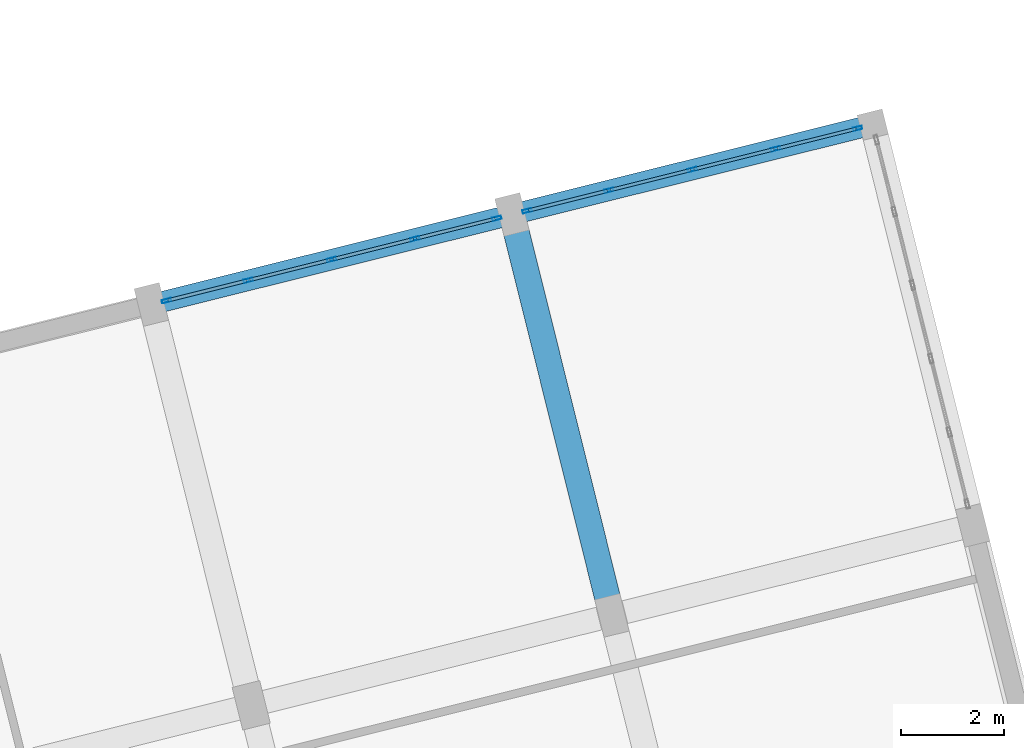
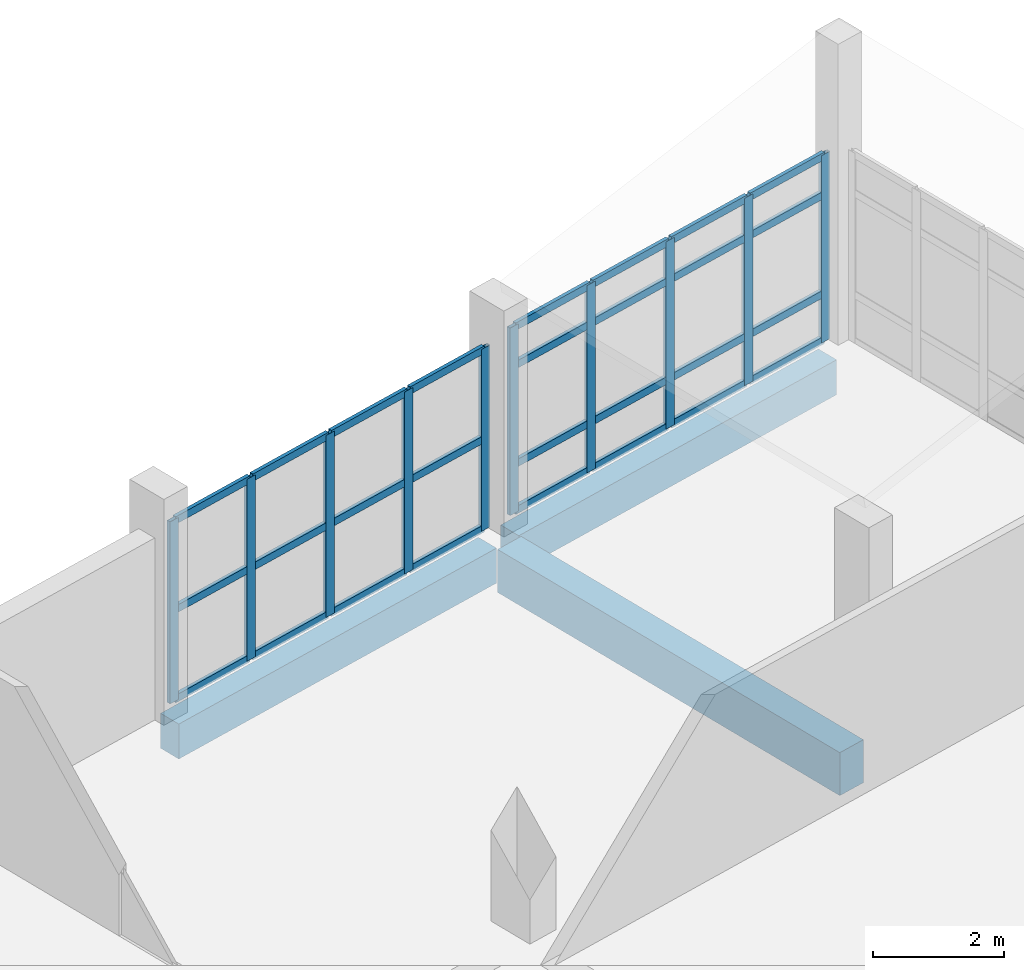
# One storey, part 116 of 164: 38 members, 3 beams, 2 elements without a shape of their own.
"""IFC4 building model written with IfcOpenShell, lengths in metres."""

from ifc_helpers import new_model, si_unit, direction, frame, origin, origin_2d, place, context, subcontext, project, spatial, rectangle, hollow_rectangle, extrude, material, layer, layer_set, material_profile, profile_set, type_object, element, aggregate, save


model = new_model("IFC4")

# Units and contexts
model_context = context("Model", 3, precision=1e-05, world=origin(), true_north=direction((0.0, 1.0)))
body_context = subcontext(model_context, "Body", "Model", "MODEL_VIEW")
ifc_project = project(units=[si_unit("LENGTHUNIT", "METRE"), si_unit("AREAUNIT", "SQUARE_METRE"), si_unit("VOLUMEUNIT", "CUBIC_METRE"), si_unit("PLANEANGLEUNIT", "RADIAN"), si_unit("MASSUNIT", "GRAM", prefix="KILO")], contexts=[model_context])

# Site, building, storey
site_placement = place(None, origin())
site = spatial("IfcSite", under=ifc_project, at=site_placement, CompositionType="ELEMENT")
building_placement = place(site_placement, origin())
building = spatial("IfcBuilding", under=site, at=building_placement, Name="Mawjan Specialist Oncology Clinic", CompositionType="ELEMENT")
storey_placement = place(building_placement, frame((0.0, 0.0, 5.0)))
storey = spatial("IfcBuildingStorey", under=building, at=storey_placement, Name="L01", CompositionType="ELEMENT", Elevation=5.0)

# Beam
ifc_material_1 = material(Name="Concrete C45/55", Category="concrete")
ifc_material_profile_1 = material_profile(ifc_material_1, rectangle(XDim=0.5, YDim=0.800048828125, at=origin_2d()), Name="RC BM 500x800", Category="concrete")
ifc_profile_set_1 = profile_set([ifc_material_profile_1], Name="Concrete C45/55")
beam_type_1 = type_object("IfcBeamType", Name="BM-500x800", PredefinedType="BEAM", material=ifc_profile_set_1)
beam_placement = place(storey_placement, frame((139.154052734375, 37.3271484375, -0.699951171875), z_axis=(-0.24192325328, 0.970295387767, 0.0), x_axis=(-0.970295387767, -0.24192325328, 0.0)))
element("IfcBeam", 1, at=beam_placement, inside=storey, type_object=beam_type_1, Name="L01 Collector Beam BM-L01-0629", PredefinedType="BEAM", context=body_context, shape_type="SweptSolid", body=[
    extrude(rectangle(XDim=0.5, YDim=0.800048828125, at=origin_2d()), origin(), (0.0, 0.0, 1.0), 7.505126953125),
])

# Curtain wall, members
ifc_material_2 = material(Name="Unitised spectrally selective aluminium curtain wall", Category="aluminium")
ifc_layer_1 = layer(ifc_material_2, 0.179931640625, Name="Unitised spectrally selective aluminium curtain wall", Category="aluminium")
ifc_layer_set_1 = layer_set([ifc_layer_1], Name="Unitised spectrally selective aluminium curtain wall")
curtain_wall_type_1 = type_object("IfcCurtainWallType", Name="CW-48", PredefinedType="NOTDEFINED", material=ifc_layer_set_1)
curtain_wall_1_placement = place(storey_placement, origin())
curtain_wall_1 = element("IfcCurtainWall", 2, at=curtain_wall_1_placement, inside=storey, type_object=curtain_wall_type_1, Name="L01 Unitised Curtain Wall CW-L01-093", PredefinedType="NOTDEFINED")
ifc_material_3 = material(Name="Thermally broken aluminium 6063-T6", Category="aluminium")
ifc_material_profile_2 = material_profile(ifc_material_3, hollow_rectangle(XDim=0.06494140625, YDim=0.179931640625, WallThickness=0.00390625, at=origin_2d()), Name="ALU MULLION 180x65x4", Category="aluminium")
ifc_profile_set_2 = profile_set([ifc_material_profile_2], Name="Thermally broken aluminium 6063-T6")
member_type_1 = type_object("IfcMemberType", Name="CW-M180", PredefinedType="MULLION", material=ifc_profile_set_2)
member_1_placement = place(storey_placement, frame((130.5888671875, 43.168701171875, 0.0), z_axis=(0.0, 0.0, 1.0), x_axis=(-0.241922045422, 0.970295688921, 0.0)))
member_1 = element("IfcMember", 3, at=member_1_placement, type_object=member_type_1, Name="CW-48 mullion 1", PredefinedType="MULLION", context=body_context, shape_type="SweptSolid", body=[
    extrude(hollow_rectangle(XDim=0.06494140625, YDim=0.179931640625, WallThickness=0.00390625, at=origin_2d()), origin(), (0.0, 0.0, 1.0), 3.385009765625),
])
member_2_placement = place(storey_placement, frame((132.1728515625, 43.563720703125, 0.0), z_axis=(0.0, 0.0, 1.0), x_axis=(-0.241922045422, 0.970295688921, 0.0)))
member_2 = element("IfcMember", 4, at=member_2_placement, type_object=member_type_1, Name="CW-48 mullion 2", PredefinedType="MULLION", context=body_context, shape_type="SweptSolid", body=[
    extrude(hollow_rectangle(XDim=0.06494140625, YDim=0.179931640625, WallThickness=0.00390625, at=origin_2d()), origin(), (0.0, 0.0, 1.0), 3.385009765625),
])
member_3_placement = place(storey_placement, frame((133.788330078125, 43.96630859375, 0.0), z_axis=(0.0, 0.0, 1.0), x_axis=(-0.241922045422, 0.970295688921, 0.0)))
member_3 = element("IfcMember", 5, at=member_3_placement, type_object=member_type_1, Name="CW-48 mullion 3", PredefinedType="MULLION", context=body_context, shape_type="SweptSolid", body=[
    extrude(hollow_rectangle(XDim=0.06494140625, YDim=0.179931640625, WallThickness=0.00390625, at=origin_2d()), origin(), (0.0, 0.0, 1.0), 3.385009765625),
])
member_4_placement = place(storey_placement, frame((135.404052734375, 44.369140625, 0.0), z_axis=(0.0, 0.0, 1.0), x_axis=(-0.241922045422, 0.970295688921, 0.0)))
member_4 = element("IfcMember", 6, at=member_4_placement, type_object=member_type_1, Name="CW-48 mullion 4", PredefinedType="MULLION", context=body_context, shape_type="SweptSolid", body=[
    extrude(hollow_rectangle(XDim=0.06494140625, YDim=0.179931640625, WallThickness=0.00390625, at=origin_2d()), origin(), (0.0, 0.0, 1.0), 3.385009765625),
])
member_5_placement = place(storey_placement, frame((136.988037109375, 44.76416015625, 0.0), z_axis=(0.0, 0.0, 1.0), x_axis=(-0.241922045422, 0.970295688921, 0.0)))
member_5 = element("IfcMember", 7, at=member_5_placement, type_object=member_type_1, Name="CW-48 mullion 5", PredefinedType="MULLION", context=body_context, shape_type="SweptSolid", body=[
    extrude(hollow_rectangle(XDim=0.06494140625, YDim=0.179931640625, WallThickness=0.00390625, at=origin_2d()), origin(), (0.0, 0.0, 1.0), 3.385009765625),
])

ifc_material_4 = material(Name="Unitised spectrally selective aluminium curtain wall", Category="aluminium")
ifc_layer_2 = layer(ifc_material_4, 0.179931640625, Name="Unitised spectrally selective aluminium curtain wall", Category="aluminium")
ifc_layer_set_2 = layer_set([ifc_layer_2], Name="Unitised spectrally selective aluminium curtain wall")
curtain_wall_type_2 = type_object("IfcCurtainWallType", Name="CW-49", PredefinedType="NOTDEFINED", material=ifc_layer_set_2)
curtain_wall_2_placement = place(storey_placement, origin())
curtain_wall_2 = element("IfcCurtainWall", 8, at=curtain_wall_2_placement, inside=storey, type_object=curtain_wall_type_2, Name="L01 Unitised Curtain Wall CW-L01-094", PredefinedType="NOTDEFINED")
member_6_placement = place(storey_placement, frame((137.574951171875, 44.91064453125, 0.0), z_axis=(0.0, 0.0, 1.0), x_axis=(-0.241921939309, 0.970295715378, 0.0)))
member_6 = element("IfcMember", 9, at=member_6_placement, type_object=member_type_1, Name="CW-49 mullion 1", PredefinedType="MULLION", context=body_context, shape_type="SweptSolid", body=[
    extrude(hollow_rectangle(XDim=0.06494140625, YDim=0.179931640625, WallThickness=0.00390625, at=origin_2d()), origin(), (0.0, 0.0, 1.0), 3.485107421875),
])
member_7_placement = place(storey_placement, frame((139.158935546875, 45.305419921875, 0.0), z_axis=(0.0, 0.0, 1.0), x_axis=(-0.241921939309, 0.970295715378, 0.0)))
member_7 = element("IfcMember", 10, at=member_7_placement, type_object=member_type_1, Name="CW-49 mullion 2", PredefinedType="MULLION", context=body_context, shape_type="SweptSolid", body=[
    extrude(hollow_rectangle(XDim=0.06494140625, YDim=0.179931640625, WallThickness=0.00390625, at=origin_2d()), origin(), (0.0, 0.0, 1.0), 3.485107421875),
])
member_8_placement = place(storey_placement, frame((140.774658203125, 45.708251953125, 0.0), z_axis=(0.0, 0.0, 1.0), x_axis=(-0.241921939309, 0.970295715378, 0.0)))
member_8 = element("IfcMember", 11, at=member_8_placement, type_object=member_type_1, Name="CW-49 mullion 3", PredefinedType="MULLION", context=body_context, shape_type="SweptSolid", body=[
    extrude(hollow_rectangle(XDim=0.06494140625, YDim=0.179931640625, WallThickness=0.00390625, at=origin_2d()), origin(), (0.0, 0.0, 1.0), 3.485107421875),
])
member_9_placement = place(storey_placement, frame((142.39013671875, 46.111083984375, 0.0), z_axis=(0.0, 0.0, 1.0), x_axis=(-0.241921939309, 0.970295715378, 0.0)))
member_9 = element("IfcMember", 12, at=member_9_placement, type_object=member_type_1, Name="CW-49 mullion 4", PredefinedType="MULLION", context=body_context, shape_type="SweptSolid", body=[
    extrude(hollow_rectangle(XDim=0.06494140625, YDim=0.179931640625, WallThickness=0.00390625, at=origin_2d()), origin(), (0.0, 0.0, 1.0), 3.485107421875),
])
member_10_placement = place(storey_placement, frame((143.97412109375, 46.506103515625, 0.0), z_axis=(0.0, 0.0, 1.0), x_axis=(-0.241921939309, 0.970295715378, 0.0)))
member_10 = element("IfcMember", 13, at=member_10_placement, type_object=member_type_1, Name="CW-49 mullion 5", PredefinedType="MULLION", context=body_context, shape_type="SweptSolid", body=[
    extrude(hollow_rectangle(XDim=0.06494140625, YDim=0.179931640625, WallThickness=0.00390625, at=origin_2d()), origin(), (0.0, 0.0, 1.0), 3.485107421875),
])

# Member
ifc_material_5 = material(Name="Thermally broken aluminium 6063-T6", Category="aluminium")
ifc_material_profile_3 = material_profile(ifc_material_5, hollow_rectangle(XDim=0.06494140625, YDim=0.139892578125, WallThickness=0.00390625, at=origin_2d()), Name="ALU TRANSOM 140x65x4", Category="aluminium")
ifc_profile_set_3 = profile_set([ifc_material_profile_3], Name="Thermally broken aluminium 6063-T6")
member_type_2 = type_object("IfcMemberType", Name="CW-T140", PredefinedType="USERDEFINED", material=ifc_profile_set_3)
member_11_placement = place(storey_placement, frame((130.620361328125, 43.176513671875, 0.032470703125), z_axis=(0.970307185051, 0.241875932325, 0.0), x_axis=(-0.241875932325, 0.970307185051, 0.0)))
member_11 = element("IfcMember", 14, at=member_11_placement, type_object=member_type_2, Name="CW-48 transom 1.1", ObjectType="TRANSOM", PredefinedType="USERDEFINED", context=body_context, shape_type="SweptSolid", body=[
    extrude(hollow_rectangle(XDim=0.06494140625, YDim=0.139892578125, WallThickness=0.00390625, at=origin_2d()), origin(), (0.0, 0.0, 1.0), 1.567626953125),
])

member_12_placement = place(storey_placement, frame((130.620361328125, 43.176513671875, 1.6923828125), z_axis=(0.970307185051, 0.241875932325, 0.0), x_axis=(-0.241875932325, 0.970307185051, 0.0)))
member_12 = element("IfcMember", 15, at=member_12_placement, type_object=member_type_2, Name="CW-48 transom 1.2", ObjectType="TRANSOM", PredefinedType="USERDEFINED", context=body_context, shape_type="SweptSolid", body=[
    extrude(hollow_rectangle(XDim=0.06494140625, YDim=0.139892578125, WallThickness=0.00390625, at=origin_2d()), origin(), (0.0, 0.0, 1.0), 1.567626953125),
])

member_13_placement = place(storey_placement, frame((130.620361328125, 43.176513671875, 3.3525390625), z_axis=(0.970307185051, 0.241875932325, 0.0), x_axis=(-0.241875932325, 0.970307185051, 0.0)))
member_13 = element("IfcMember", 16, at=member_13_placement, type_object=member_type_2, Name="CW-48 transom 1.3", ObjectType="TRANSOM", PredefinedType="USERDEFINED", context=body_context, shape_type="SweptSolid", body=[
    extrude(hollow_rectangle(XDim=0.06494140625, YDim=0.139892578125, WallThickness=0.00390625, at=origin_2d()), origin(), (0.0, 0.0, 1.0), 1.567626953125),
])

member_14_placement = place(storey_placement, frame((132.204345703125, 43.571533203125, 0.032470703125), z_axis=(0.970312800845, 0.241853402947, 0.0), x_axis=(-0.241853402947, 0.970312800845, 0.0)))
member_14 = element("IfcMember", 17, at=member_14_placement, type_object=member_type_2, Name="CW-48 transom 2.1", ObjectType="TRANSOM", PredefinedType="USERDEFINED", context=body_context, shape_type="SweptSolid", body=[
    extrude(hollow_rectangle(XDim=0.06494140625, YDim=0.139892578125, WallThickness=0.00390625, at=origin_2d()), origin(), (0.0, 0.0, 1.0), 1.60009765625),
])

member_15_placement = place(storey_placement, frame((132.204345703125, 43.571533203125, 1.6923828125), z_axis=(0.970312800845, 0.241853402947, 0.0), x_axis=(-0.241853402947, 0.970312800845, 0.0)))
member_15 = element("IfcMember", 18, at=member_15_placement, type_object=member_type_2, Name="CW-48 transom 2.2", ObjectType="TRANSOM", PredefinedType="USERDEFINED", context=body_context, shape_type="SweptSolid", body=[
    extrude(hollow_rectangle(XDim=0.06494140625, YDim=0.139892578125, WallThickness=0.00390625, at=origin_2d()), origin(), (0.0, 0.0, 1.0), 1.60009765625),
])

member_16_placement = place(storey_placement, frame((132.204345703125, 43.571533203125, 3.3525390625), z_axis=(0.970312800845, 0.241853402947, 0.0), x_axis=(-0.241853402947, 0.970312800845, 0.0)))
member_16 = element("IfcMember", 19, at=member_16_placement, type_object=member_type_2, Name="CW-48 transom 2.3", ObjectType="TRANSOM", PredefinedType="USERDEFINED", context=body_context, shape_type="SweptSolid", body=[
    extrude(hollow_rectangle(XDim=0.06494140625, YDim=0.139892578125, WallThickness=0.00390625, at=origin_2d()), origin(), (0.0, 0.0, 1.0), 1.60009765625),
])

member_17_placement = place(storey_placement, frame((133.820068359375, 43.974365234375, 0.032470703125), z_axis=(0.970312800845, 0.241853402947, 0.0), x_axis=(-0.241853402947, 0.970312800845, 0.0)))
member_17 = element("IfcMember", 20, at=member_17_placement, type_object=member_type_2, Name="CW-48 transom 3.1", ObjectType="TRANSOM", PredefinedType="USERDEFINED", context=body_context, shape_type="SweptSolid", body=[
    extrude(hollow_rectangle(XDim=0.06494140625, YDim=0.139892578125, WallThickness=0.00390625, at=origin_2d()), origin(), (0.0, 0.0, 1.0), 1.60009765625),
])

member_18_placement = place(storey_placement, frame((133.820068359375, 43.974365234375, 1.6923828125), z_axis=(0.970312800845, 0.241853402947, 0.0), x_axis=(-0.241853402947, 0.970312800845, 0.0)))
member_18 = element("IfcMember", 21, at=member_18_placement, type_object=member_type_2, Name="CW-48 transom 3.2", ObjectType="TRANSOM", PredefinedType="USERDEFINED", context=body_context, shape_type="SweptSolid", body=[
    extrude(hollow_rectangle(XDim=0.06494140625, YDim=0.139892578125, WallThickness=0.00390625, at=origin_2d()), origin(), (0.0, 0.0, 1.0), 1.60009765625),
])

member_19_placement = place(storey_placement, frame((133.820068359375, 43.974365234375, 3.3525390625), z_axis=(0.970312800845, 0.241853402947, 0.0), x_axis=(-0.241853402947, 0.970312800845, 0.0)))
member_19 = element("IfcMember", 22, at=member_19_placement, type_object=member_type_2, Name="CW-48 transom 3.3", ObjectType="TRANSOM", PredefinedType="USERDEFINED", context=body_context, shape_type="SweptSolid", body=[
    extrude(hollow_rectangle(XDim=0.06494140625, YDim=0.139892578125, WallThickness=0.00390625, at=origin_2d()), origin(), (0.0, 0.0, 1.0), 1.60009765625),
])

member_20_placement = place(storey_placement, frame((135.435546875, 44.377197265625, 0.032470703125), z_axis=(0.970307185051, 0.241875932325, 0.0), x_axis=(-0.241875932325, 0.970307185051, 0.0)))
member_20 = element("IfcMember", 23, at=member_20_placement, type_object=member_type_2, Name="CW-48 transom 4.1", ObjectType="TRANSOM", PredefinedType="USERDEFINED", context=body_context, shape_type="SweptSolid", body=[
    extrude(hollow_rectangle(XDim=0.06494140625, YDim=0.139892578125, WallThickness=0.00390625, at=origin_2d()), origin(), (0.0, 0.0, 1.0), 1.567626953125),
])

member_21_placement = place(storey_placement, frame((135.435546875, 44.377197265625, 1.6923828125), z_axis=(0.970307185051, 0.241875932325, 0.0), x_axis=(-0.241875932325, 0.970307185051, 0.0)))
member_21 = element("IfcMember", 24, at=member_21_placement, type_object=member_type_2, Name="CW-48 transom 4.2", ObjectType="TRANSOM", PredefinedType="USERDEFINED", context=body_context, shape_type="SweptSolid", body=[
    extrude(hollow_rectangle(XDim=0.06494140625, YDim=0.139892578125, WallThickness=0.00390625, at=origin_2d()), origin(), (0.0, 0.0, 1.0), 1.567626953125),
])

member_22_placement = place(storey_placement, frame((135.435546875, 44.377197265625, 3.3525390625), z_axis=(0.970307185051, 0.241875932325, 0.0), x_axis=(-0.241875932325, 0.970307185051, 0.0)))
member_22 = element("IfcMember", 25, at=member_22_placement, type_object=member_type_2, Name="CW-48 transom 4.3", ObjectType="TRANSOM", PredefinedType="USERDEFINED", context=body_context, shape_type="SweptSolid", body=[
    extrude(hollow_rectangle(XDim=0.06494140625, YDim=0.139892578125, WallThickness=0.00390625, at=origin_2d()), origin(), (0.0, 0.0, 1.0), 1.567626953125),
])

aggregate(curtain_wall_1, [member_1, member_2, member_3, member_4, member_5, member_11, member_12, member_13, member_14, member_15, member_16, member_17, member_18, member_19, member_20, member_21, member_22])

member_23_placement = place(storey_placement, frame((137.6064453125, 44.91845703125, 0.032470703125), z_axis=(0.970307185051, 0.241875932325, 0.0), x_axis=(-0.241875932325, 0.970307185051, 0.0)))
member_23 = element("IfcMember", 26, at=member_23_placement, type_object=member_type_2, Name="CW-49 transom 1.1", ObjectType="TRANSOM", PredefinedType="USERDEFINED", context=body_context, shape_type="SweptSolid", body=[
    extrude(hollow_rectangle(XDim=0.06494140625, YDim=0.139892578125, WallThickness=0.00390625, at=origin_2d()), origin(), (0.0, 0.0, 1.0), 1.567626953125),
])

member_24_placement = place(storey_placement, frame((137.6064453125, 44.91845703125, 0.89990234375), z_axis=(0.970307185051, 0.241875932325, 0.0), x_axis=(-0.241875932325, 0.970307185051, 0.0)))
member_24 = element("IfcMember", 27, at=member_24_placement, type_object=member_type_2, Name="CW-49 transom 1.2", ObjectType="TRANSOM", PredefinedType="USERDEFINED", context=body_context, shape_type="SweptSolid", body=[
    extrude(hollow_rectangle(XDim=0.06494140625, YDim=0.139892578125, WallThickness=0.00390625, at=origin_2d()), origin(), (0.0, 0.0, 1.0), 1.567626953125),
])

member_25_placement = place(storey_placement, frame((137.6064453125, 44.91845703125, 2.735107421875), z_axis=(0.970307185051, 0.241875932325, 0.0), x_axis=(-0.241875932325, 0.970307185051, 0.0)))
member_25 = element("IfcMember", 28, at=member_25_placement, type_object=member_type_2, Name="CW-49 transom 1.3", ObjectType="TRANSOM", PredefinedType="USERDEFINED", context=body_context, shape_type="SweptSolid", body=[
    extrude(hollow_rectangle(XDim=0.06494140625, YDim=0.139892578125, WallThickness=0.00390625, at=origin_2d()), origin(), (0.0, 0.0, 1.0), 1.567626953125),
])

member_26_placement = place(storey_placement, frame((137.6064453125, 44.91845703125, 3.452392578125), z_axis=(0.970307185051, 0.241875932325, 0.0), x_axis=(-0.241875932325, 0.970307185051, 0.0)))
member_26 = element("IfcMember", 29, at=member_26_placement, type_object=member_type_2, Name="CW-49 transom 1.4", ObjectType="TRANSOM", PredefinedType="USERDEFINED", context=body_context, shape_type="SweptSolid", body=[
    extrude(hollow_rectangle(XDim=0.06494140625, YDim=0.139892578125, WallThickness=0.00390625, at=origin_2d()), origin(), (0.0, 0.0, 1.0), 1.567626953125),
])

member_27_placement = place(storey_placement, frame((139.190673828125, 45.313232421875, 0.032470703125), z_axis=(0.970268045315, 0.242032890826, 0.0), x_axis=(-0.242032890826, 0.970268045315, 0.0)))
member_27 = element("IfcMember", 30, at=member_27_placement, type_object=member_type_2, Name="CW-49 transom 2.1", ObjectType="TRANSOM", PredefinedType="USERDEFINED", context=body_context, shape_type="SweptSolid", body=[
    extrude(hollow_rectangle(XDim=0.06494140625, YDim=0.139892578125, WallThickness=0.00390625, at=origin_2d()), origin(), (0.0, 0.0, 1.0), 1.599853515625),
])

member_28_placement = place(storey_placement, frame((139.190673828125, 45.313232421875, 0.89990234375), z_axis=(0.970268045315, 0.242032890826, 0.0), x_axis=(-0.242032890826, 0.970268045315, 0.0)))
member_28 = element("IfcMember", 31, at=member_28_placement, type_object=member_type_2, Name="CW-49 transom 2.2", ObjectType="TRANSOM", PredefinedType="USERDEFINED", context=body_context, shape_type="SweptSolid", body=[
    extrude(hollow_rectangle(XDim=0.06494140625, YDim=0.139892578125, WallThickness=0.00390625, at=origin_2d()), origin(), (0.0, 0.0, 1.0), 1.599853515625),
])

member_29_placement = place(storey_placement, frame((139.190673828125, 45.313232421875, 2.735107421875), z_axis=(0.970268045315, 0.242032890826, 0.0), x_axis=(-0.242032890826, 0.970268045315, 0.0)))
member_29 = element("IfcMember", 32, at=member_29_placement, type_object=member_type_2, Name="CW-49 transom 2.3", ObjectType="TRANSOM", PredefinedType="USERDEFINED", context=body_context, shape_type="SweptSolid", body=[
    extrude(hollow_rectangle(XDim=0.06494140625, YDim=0.139892578125, WallThickness=0.00390625, at=origin_2d()), origin(), (0.0, 0.0, 1.0), 1.599853515625),
])

member_30_placement = place(storey_placement, frame((139.190673828125, 45.313232421875, 3.452392578125), z_axis=(0.970268045315, 0.242032890826, 0.0), x_axis=(-0.242032890826, 0.970268045315, 0.0)))
member_30 = element("IfcMember", 33, at=member_30_placement, type_object=member_type_2, Name="CW-49 transom 2.4", ObjectType="TRANSOM", PredefinedType="USERDEFINED", context=body_context, shape_type="SweptSolid", body=[
    extrude(hollow_rectangle(XDim=0.06494140625, YDim=0.139892578125, WallThickness=0.00390625, at=origin_2d()), origin(), (0.0, 0.0, 1.0), 1.599853515625),
])

member_31_placement = place(storey_placement, frame((140.80615234375, 45.716064453125, 0.032470703125), z_axis=(0.970276982968, 0.241997058498, 0.0), x_axis=(-0.241997058498, 0.970276982968, 0.0)))
member_31 = element("IfcMember", 34, at=member_31_placement, type_object=member_type_2, Name="CW-49 transom 3.1", ObjectType="TRANSOM", PredefinedType="USERDEFINED", context=body_context, shape_type="SweptSolid", body=[
    extrude(hollow_rectangle(XDim=0.06494140625, YDim=0.139892578125, WallThickness=0.00390625, at=origin_2d()), origin(), (0.0, 0.0, 1.0), 1.60009765625),
])

member_32_placement = place(storey_placement, frame((140.80615234375, 45.716064453125, 0.89990234375), z_axis=(0.970276982968, 0.241997058498, 0.0), x_axis=(-0.241997058498, 0.970276982968, 0.0)))
member_32 = element("IfcMember", 35, at=member_32_placement, type_object=member_type_2, Name="CW-49 transom 3.2", ObjectType="TRANSOM", PredefinedType="USERDEFINED", context=body_context, shape_type="SweptSolid", body=[
    extrude(hollow_rectangle(XDim=0.06494140625, YDim=0.139892578125, WallThickness=0.00390625, at=origin_2d()), origin(), (0.0, 0.0, 1.0), 1.60009765625),
])

member_33_placement = place(storey_placement, frame((140.80615234375, 45.716064453125, 2.735107421875), z_axis=(0.970276982968, 0.241997058498, 0.0), x_axis=(-0.241997058498, 0.970276982968, 0.0)))
member_33 = element("IfcMember", 36, at=member_33_placement, type_object=member_type_2, Name="CW-49 transom 3.3", ObjectType="TRANSOM", PredefinedType="USERDEFINED", context=body_context, shape_type="SweptSolid", body=[
    extrude(hollow_rectangle(XDim=0.06494140625, YDim=0.139892578125, WallThickness=0.00390625, at=origin_2d()), origin(), (0.0, 0.0, 1.0), 1.60009765625),
])

member_34_placement = place(storey_placement, frame((140.80615234375, 45.716064453125, 3.452392578125), z_axis=(0.970276982968, 0.241997058498, 0.0), x_axis=(-0.241997058498, 0.970276982968, 0.0)))
member_34 = element("IfcMember", 37, at=member_34_placement, type_object=member_type_2, Name="CW-49 transom 3.4", ObjectType="TRANSOM", PredefinedType="USERDEFINED", context=body_context, shape_type="SweptSolid", body=[
    extrude(hollow_rectangle(XDim=0.06494140625, YDim=0.139892578125, WallThickness=0.00390625, at=origin_2d()), origin(), (0.0, 0.0, 1.0), 1.60009765625),
])

member_35_placement = place(storey_placement, frame((142.421630859375, 46.118896484375, 0.032470703125), z_axis=(0.970307185051, 0.241875932325, 0.0), x_axis=(-0.241875932325, 0.970307185051, 0.0)))
member_35 = element("IfcMember", 38, at=member_35_placement, type_object=member_type_2, Name="CW-49 transom 4.1", ObjectType="TRANSOM", PredefinedType="USERDEFINED", context=body_context, shape_type="SweptSolid", body=[
    extrude(hollow_rectangle(XDim=0.06494140625, YDim=0.139892578125, WallThickness=0.00390625, at=origin_2d()), origin(), (0.0, 0.0, 1.0), 1.567626953125),
])

member_36_placement = place(storey_placement, frame((142.421630859375, 46.118896484375, 0.89990234375), z_axis=(0.970307185051, 0.241875932325, 0.0), x_axis=(-0.241875932325, 0.970307185051, 0.0)))
member_36 = element("IfcMember", 39, at=member_36_placement, type_object=member_type_2, Name="CW-49 transom 4.2", ObjectType="TRANSOM", PredefinedType="USERDEFINED", context=body_context, shape_type="SweptSolid", body=[
    extrude(hollow_rectangle(XDim=0.06494140625, YDim=0.139892578125, WallThickness=0.00390625, at=origin_2d()), origin(), (0.0, 0.0, 1.0), 1.567626953125),
])

member_37_placement = place(storey_placement, frame((142.421630859375, 46.118896484375, 2.735107421875), z_axis=(0.970307185051, 0.241875932325, 0.0), x_axis=(-0.241875932325, 0.970307185051, 0.0)))
member_37 = element("IfcMember", 40, at=member_37_placement, type_object=member_type_2, Name="CW-49 transom 4.3", ObjectType="TRANSOM", PredefinedType="USERDEFINED", context=body_context, shape_type="SweptSolid", body=[
    extrude(hollow_rectangle(XDim=0.06494140625, YDim=0.139892578125, WallThickness=0.00390625, at=origin_2d()), origin(), (0.0, 0.0, 1.0), 1.567626953125),
])

member_38_placement = place(storey_placement, frame((142.421630859375, 46.118896484375, 3.452392578125), z_axis=(0.970307185051, 0.241875932325, 0.0), x_axis=(-0.241875932325, 0.970307185051, 0.0)))
member_38 = element("IfcMember", 41, at=member_38_placement, type_object=member_type_2, Name="CW-49 transom 4.4", ObjectType="TRANSOM", PredefinedType="USERDEFINED", context=body_context, shape_type="SweptSolid", body=[
    extrude(hollow_rectangle(XDim=0.06494140625, YDim=0.139892578125, WallThickness=0.00390625, at=origin_2d()), origin(), (0.0, 0.0, 1.0), 1.567626953125),
])

aggregate(curtain_wall_2, [member_6, member_7, member_8, member_9, member_10, member_23, member_24, member_25, member_26, member_27, member_28, member_29, member_30, member_31, member_32, member_33, member_34, member_35, member_36, member_37, member_38])

# Beams
ifc_material_6 = material(Name="Concrete C45/55", Category="concrete")
ifc_material_profile_4 = material_profile(ifc_material_6, rectangle(XDim=0.39990234375, YDim=0.64990234375, at=origin_2d()), Name="RC BM 400x650", Category="concrete")
ifc_profile_set_4 = profile_set([ifc_material_profile_4], Name="Concrete C45/55")
beam_type_2 = type_object("IfcBeamType", Name="SP-400x650", PredefinedType="SPANDREL", material=ifc_profile_set_4)
for number, where, z_axis, x_axis, name in (
    (42, (130.5234375, 43.15234375, -0.625), (0.970293819569, 0.241929542854, 0.0), (-0.241929542854, 0.970293819569, 0.0), "L01 Spandrel Beam BM-L01-0610"),
    (43, (137.509521484375, 44.894287109375, -0.625), (0.970302334743, 0.241895388943, 0.0), (-0.241895388943, 0.970302334743, 0.0), "L01 Spandrel Beam BM-L01-0611"),
):
    element("IfcBeam", number, at=place(storey_placement, frame(where, z_axis=z_axis, x_axis=x_axis)), inside=storey, type_object=beam_type_2, Name=name, PredefinedType="SPANDREL", context=body_context, shape_type="SweptSolid", body=[
        extrude(rectangle(XDim=0.39990234375, YDim=0.64990234375, at=origin_2d()), origin(), (0.0, 0.0, 1.0), 6.72998046875),
    ])

save(model, "model.ifc")
